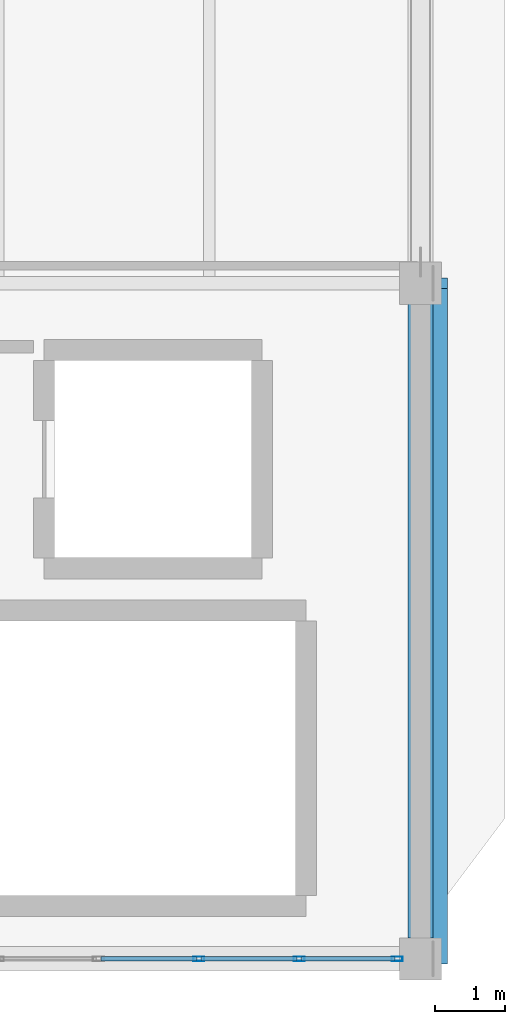
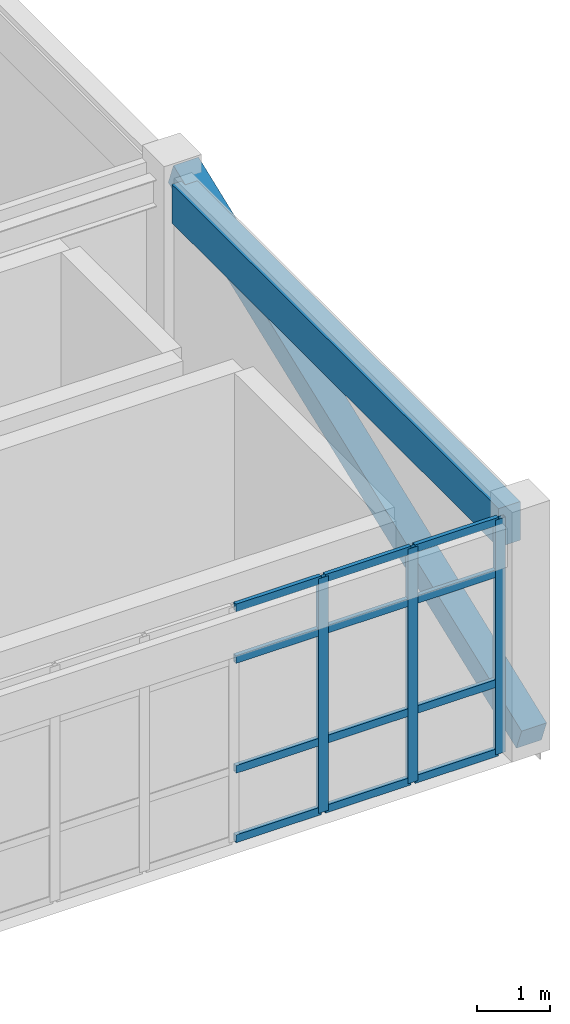
# One storey, part 10 of 28: 16 members, 1 beam, 1 element without a shape of its own.
"""IFC4 building model written with IfcOpenShell, lengths in metres."""

from ifc_helpers import new_model, si_unit, direction, frame, origin, origin_2d, place, context, subcontext, project, spatial, rectangle, hollow_rectangle, extrude, material, layer, layer_set, material_profile, profile_set, type_object, element, aggregate, save


model = new_model("IFC4")

# Units and contexts
model_context = context("Model", 3, precision=1e-05, world=origin(), true_north=direction((0.0, 1.0)))
body_context = subcontext(model_context, "Body", "Model", "MODEL_VIEW")
ifc_project = project(units=[si_unit("LENGTHUNIT", "METRE"), si_unit("AREAUNIT", "SQUARE_METRE"), si_unit("VOLUMEUNIT", "CUBIC_METRE"), si_unit("PLANEANGLEUNIT", "RADIAN"), si_unit("MASSUNIT", "GRAM", prefix="KILO")], contexts=[model_context])

# Site, building, storey
site_placement = place(None, origin())
site = spatial("IfcSite", under=ifc_project, at=site_placement, CompositionType="ELEMENT")
building_placement = place(site_placement, origin())
building = spatial("IfcBuilding", under=site, at=building_placement, Name="Pandanus Reach Market Hall", CompositionType="ELEMENT")
storey_placement = place(building_placement, frame((0.0, 0.0, 18.60009765625)))
storey = spatial("IfcBuildingStorey", under=building, at=storey_placement, Name="L04", CompositionType="ELEMENT", Elevation=18.60009765625)

# Beam
ifc_material_1 = material(Name="Concrete N40 (40 MPa)", Category="concrete")
ifc_material_profile_1 = material_profile(ifc_material_1, rectangle(XDim=0.35009765625, YDim=0.64990234375, at=origin_2d()), Name="RC350x650", Category="LoadBearing")
ifc_profile_set_1 = profile_set([ifc_material_profile_1], Name="Concrete N40 (40 MPa)")
beam_type = type_object("IfcBeamType", Name="BM-RC350-E", PredefinedType="SPANDREL", material=ifc_profile_set_1)
beam_placement = place(storey_placement, frame((180.0, 29.097900390625, 3.534912109375), z_axis=(0.0, 1.0, 0.0), x_axis=(-1.0, 0.0, 0.0)))
element("IfcBeam", 1, at=beam_placement, inside=storey, type_object=beam_type, Name="Framing beam BM-RC350-E L04.632", PredefinedType="SPANDREL", context=body_context, shape_type="SweptSolid", body=[
    extrude(rectangle(XDim=0.35009765625, YDim=0.64990234375, at=origin_2d()), origin(), (0.0, 0.0, 1.0), 9.004150390625),
])

# Curtain wall, members
ifc_material_2 = material(Name="Bronze anodised aluminium and low-E glass", Category="aluminium")
ifc_layer = layer(ifc_material_2, 0.159912109375, Name="CW-35")
ifc_layer_set = layer_set([ifc_layer], Name="Bronze anodised aluminium and low-E glass")
curtain_wall_type = type_object("IfcCurtainWallType", Name="CW-35", PredefinedType="NOTDEFINED", material=ifc_layer_set)
curtain_wall_placement = place(storey_placement, origin())
curtain_wall = element("IfcCurtainWall", 2, at=curtain_wall_placement, inside=storey, type_object=curtain_wall_type, Name="Glazed curtain wall CW-35 CW-0129", PredefinedType="NOTDEFINED")
ifc_material_3 = material(Name="Bronze anodised aluminium", Category="aluminium")
ifc_material_profile_2 = material_profile(ifc_material_3, hollow_rectangle(XDim=0.06494140625, YDim=0.159912109375, WallThickness=0.00390625, at=origin_2d()), Name="ALU65x160", Category="LoadBearing")
ifc_profile_set_2 = profile_set([ifc_material_profile_2], Name="Bronze anodised aluminium")
member_type_1 = type_object("IfcMemberType", Name="CW-M1", PredefinedType="MULLION", material=ifc_profile_set_2)
member_1_placement = place(storey_placement, frame((176.85009765625, 28.800048828125, 0.0), z_axis=(0.0, 0.0, 1.0), x_axis=(0.0, 1.0, 0.0)))
member_1 = element("IfcMember", 3, at=member_1_placement, type_object=member_type_1, Name="CW-35 mullion 7", PredefinedType="MULLION", context=body_context, shape_type="SweptSolid", body=[
    extrude(hollow_rectangle(XDim=0.06494140625, YDim=0.159912109375, WallThickness=0.00390625, at=origin_2d()), origin(), (0.0, 0.0, 1.0), 3.949951171875),
])
member_2_placement = place(storey_placement, frame((178.27490234375, 28.800048828125, 0.0), z_axis=(0.0, 0.0, 1.0), x_axis=(0.0, 1.0, 0.0)))
member_2 = element("IfcMember", 4, at=member_2_placement, type_object=member_type_1, Name="CW-35 mullion 8", PredefinedType="MULLION", context=body_context, shape_type="SweptSolid", body=[
    extrude(hollow_rectangle(XDim=0.06494140625, YDim=0.159912109375, WallThickness=0.00390625, at=origin_2d()), origin(), (0.0, 0.0, 1.0), 3.949951171875),
])
member_3_placement = place(storey_placement, frame((179.66748046875, 28.800048828125, 0.0), z_axis=(0.0, 0.0, 1.0), x_axis=(0.0, 1.0, 0.0)))
member_3 = element("IfcMember", 5, at=member_3_placement, type_object=member_type_1, Name="CW-35 mullion 9", PredefinedType="MULLION", context=body_context, shape_type="SweptSolid", body=[
    extrude(hollow_rectangle(XDim=0.06494140625, YDim=0.159912109375, WallThickness=0.00390625, at=origin_2d()), origin(), (0.0, 0.0, 1.0), 3.949951171875),
])
ifc_material_profile_3 = material_profile(ifc_material_3, hollow_rectangle(XDim=0.06494140625, YDim=0.1298828125, WallThickness=0.00390625, at=origin_2d()), Name="ALU65x130", Category="LoadBearing")
ifc_profile_set_3 = profile_set([ifc_material_profile_3], Name="Bronze anodised aluminium")
member_type_2 = type_object("IfcMemberType", Name="CW-T1", PredefinedType="USERDEFINED", material=ifc_profile_set_3)
member_4_placement = place(storey_placement, frame((175.45751953125, 28.800048828125, 0.032470703125), z_axis=(1.0, 0.0, 0.0), x_axis=(0.0, 1.0, 0.0)))
member_4 = element("IfcMember", 6, at=member_4_placement, type_object=member_type_2, Name="CW-35 transom 6.1", ObjectType="TRANSOM", PredefinedType="USERDEFINED", context=body_context, shape_type="SweptSolid", body=[
    extrude(hollow_rectangle(XDim=0.06494140625, YDim=0.1298828125, WallThickness=0.00390625, at=origin_2d()), origin(), (0.0, 0.0, 1.0), 1.35986328125),
])
member_5_placement = place(storey_placement, frame((175.45751953125, 28.800048828125, 1.199951171875), z_axis=(1.0, 0.0, 0.0), x_axis=(0.0, 1.0, 0.0)))
member_5 = element("IfcMember", 7, at=member_5_placement, type_object=member_type_2, Name="CW-35 transom 6.2", ObjectType="TRANSOM", PredefinedType="USERDEFINED", context=body_context, shape_type="SweptSolid", body=[
    extrude(hollow_rectangle(XDim=0.06494140625, YDim=0.1298828125, WallThickness=0.00390625, at=origin_2d()), origin(), (0.0, 0.0, 1.0), 1.35986328125),
])
member_6_placement = place(storey_placement, frame((175.45751953125, 28.800048828125, 3.0498046875), z_axis=(1.0, 0.0, 0.0), x_axis=(0.0, 1.0, 0.0)))
member_6 = element("IfcMember", 8, at=member_6_placement, type_object=member_type_2, Name="CW-35 transom 6.3", ObjectType="TRANSOM", PredefinedType="USERDEFINED", context=body_context, shape_type="SweptSolid", body=[
    extrude(hollow_rectangle(XDim=0.06494140625, YDim=0.1298828125, WallThickness=0.00390625, at=origin_2d()), origin(), (0.0, 0.0, 1.0), 1.35986328125),
])
member_7_placement = place(storey_placement, frame((175.45751953125, 28.800048828125, 3.91748046875), z_axis=(1.0, 0.0, 0.0), x_axis=(0.0, 1.0, 0.0)))
member_7 = element("IfcMember", 9, at=member_7_placement, type_object=member_type_2, Name="CW-35 transom 6.4", ObjectType="TRANSOM", PredefinedType="USERDEFINED", context=body_context, shape_type="SweptSolid", body=[
    extrude(hollow_rectangle(XDim=0.06494140625, YDim=0.1298828125, WallThickness=0.00390625, at=origin_2d()), origin(), (0.0, 0.0, 1.0), 1.35986328125),
])
member_8_placement = place(storey_placement, frame((176.882568359375, 28.800048828125, 0.032470703125), z_axis=(1.0, 0.0, 0.0), x_axis=(0.0, 1.0, 0.0)))
member_8 = element("IfcMember", 10, at=member_8_placement, type_object=member_type_2, Name="CW-35 transom 7.1", ObjectType="TRANSOM", PredefinedType="USERDEFINED", context=body_context, shape_type="SweptSolid", body=[
    extrude(hollow_rectangle(XDim=0.06494140625, YDim=0.1298828125, WallThickness=0.00390625, at=origin_2d()), origin(), (0.0, 0.0, 1.0), 1.35986328125),
])
member_9_placement = place(storey_placement, frame((176.882568359375, 28.800048828125, 1.199951171875), z_axis=(1.0, 0.0, 0.0), x_axis=(0.0, 1.0, 0.0)))
member_9 = element("IfcMember", 11, at=member_9_placement, type_object=member_type_2, Name="CW-35 transom 7.2", ObjectType="TRANSOM", PredefinedType="USERDEFINED", context=body_context, shape_type="SweptSolid", body=[
    extrude(hollow_rectangle(XDim=0.06494140625, YDim=0.1298828125, WallThickness=0.00390625, at=origin_2d()), origin(), (0.0, 0.0, 1.0), 1.35986328125),
])
member_10_placement = place(storey_placement, frame((176.882568359375, 28.800048828125, 3.0498046875), z_axis=(1.0, 0.0, 0.0), x_axis=(0.0, 1.0, 0.0)))
member_10 = element("IfcMember", 12, at=member_10_placement, type_object=member_type_2, Name="CW-35 transom 7.3", ObjectType="TRANSOM", PredefinedType="USERDEFINED", context=body_context, shape_type="SweptSolid", body=[
    extrude(hollow_rectangle(XDim=0.06494140625, YDim=0.1298828125, WallThickness=0.00390625, at=origin_2d()), origin(), (0.0, 0.0, 1.0), 1.35986328125),
])
member_11_placement = place(storey_placement, frame((176.882568359375, 28.800048828125, 3.91748046875), z_axis=(1.0, 0.0, 0.0), x_axis=(0.0, 1.0, 0.0)))
member_11 = element("IfcMember", 13, at=member_11_placement, type_object=member_type_2, Name="CW-35 transom 7.4", ObjectType="TRANSOM", PredefinedType="USERDEFINED", context=body_context, shape_type="SweptSolid", body=[
    extrude(hollow_rectangle(XDim=0.06494140625, YDim=0.1298828125, WallThickness=0.00390625, at=origin_2d()), origin(), (0.0, 0.0, 1.0), 1.35986328125),
])
member_12_placement = place(storey_placement, frame((178.3076171875, 28.800048828125, 0.032470703125), z_axis=(1.0, 0.0, 0.0), x_axis=(0.0, 1.0, 0.0)))
member_12 = element("IfcMember", 14, at=member_12_placement, type_object=member_type_2, Name="CW-35 transom 8.1", ObjectType="TRANSOM", PredefinedType="USERDEFINED", context=body_context, shape_type="SweptSolid", body=[
    extrude(hollow_rectangle(XDim=0.06494140625, YDim=0.1298828125, WallThickness=0.00390625, at=origin_2d()), origin(), (0.0, 0.0, 1.0), 1.327392578125),
])
member_13_placement = place(storey_placement, frame((178.3076171875, 28.800048828125, 1.199951171875), z_axis=(1.0, 0.0, 0.0), x_axis=(0.0, 1.0, 0.0)))
member_13 = element("IfcMember", 15, at=member_13_placement, type_object=member_type_2, Name="CW-35 transom 8.2", ObjectType="TRANSOM", PredefinedType="USERDEFINED", context=body_context, shape_type="SweptSolid", body=[
    extrude(hollow_rectangle(XDim=0.06494140625, YDim=0.1298828125, WallThickness=0.00390625, at=origin_2d()), origin(), (0.0, 0.0, 1.0), 1.327392578125),
])
member_14_placement = place(storey_placement, frame((178.3076171875, 28.800048828125, 3.0498046875), z_axis=(1.0, 0.0, 0.0), x_axis=(0.0, 1.0, 0.0)))
member_14 = element("IfcMember", 16, at=member_14_placement, type_object=member_type_2, Name="CW-35 transom 8.3", ObjectType="TRANSOM", PredefinedType="USERDEFINED", context=body_context, shape_type="SweptSolid", body=[
    extrude(hollow_rectangle(XDim=0.06494140625, YDim=0.1298828125, WallThickness=0.00390625, at=origin_2d()), origin(), (0.0, 0.0, 1.0), 1.327392578125),
])
member_15_placement = place(storey_placement, frame((178.3076171875, 28.800048828125, 3.91748046875), z_axis=(1.0, 0.0, 0.0), x_axis=(0.0, 1.0, 0.0)))
member_15 = element("IfcMember", 17, at=member_15_placement, type_object=member_type_2, Name="CW-35 transom 8.4", ObjectType="TRANSOM", PredefinedType="USERDEFINED", context=body_context, shape_type="SweptSolid", body=[
    extrude(hollow_rectangle(XDim=0.06494140625, YDim=0.1298828125, WallThickness=0.00390625, at=origin_2d()), origin(), (0.0, 0.0, 1.0), 1.327392578125),
])
aggregate(curtain_wall, [member_1, member_2, member_3, member_4, member_5, member_6, member_7, member_8, member_9, member_10, member_11, member_12, member_13, member_14, member_15])

# Member
ifc_material_4 = material(Name="Concrete N50 (50 MPa)", Category="concrete")
ifc_material_profile_4 = material_profile(ifc_material_4, rectangle(XDim=0.39990234375, YDim=0.39990234375, at=origin_2d()), Name="RC400x400", Category="LoadBearing")
ifc_profile_set_4 = profile_set([ifc_material_profile_4], Name="Concrete N50 (50 MPa)")
member_type_3 = type_object("IfcMemberType", Name="VS-RC400-E", PredefinedType="STRUT", material=ifc_profile_set_4)
member_16_placement = place(storey_placement, frame((180.179931640625, 28.800048828125, 0.099853515625), z_axis=(0.0, 0.93309462138, 0.359630960225), x_axis=(-1.0, 0.0, 0.0)))
element("IfcMember", 18, at=member_16_placement, inside=storey, type_object=member_type_3, Name="Sculpted concrete diagrid rib 10", PredefinedType="STRUT", context=body_context, shape_type="SweptSolid", body=[
    extrude(rectangle(XDim=0.39990234375, YDim=0.39990234375, at=origin_2d()), origin(), (0.0, 0.0, 1.0), 10.2880859375),
])

save(model, "model.ifc")
